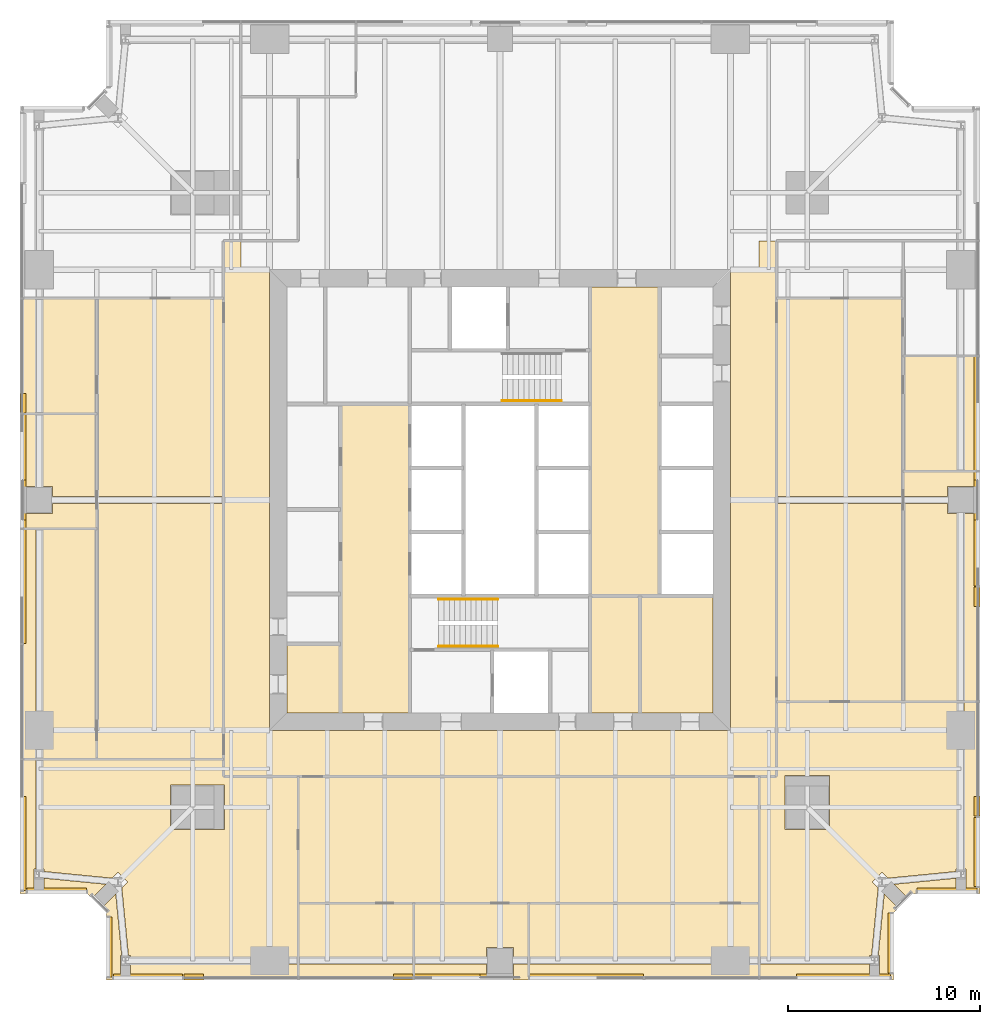
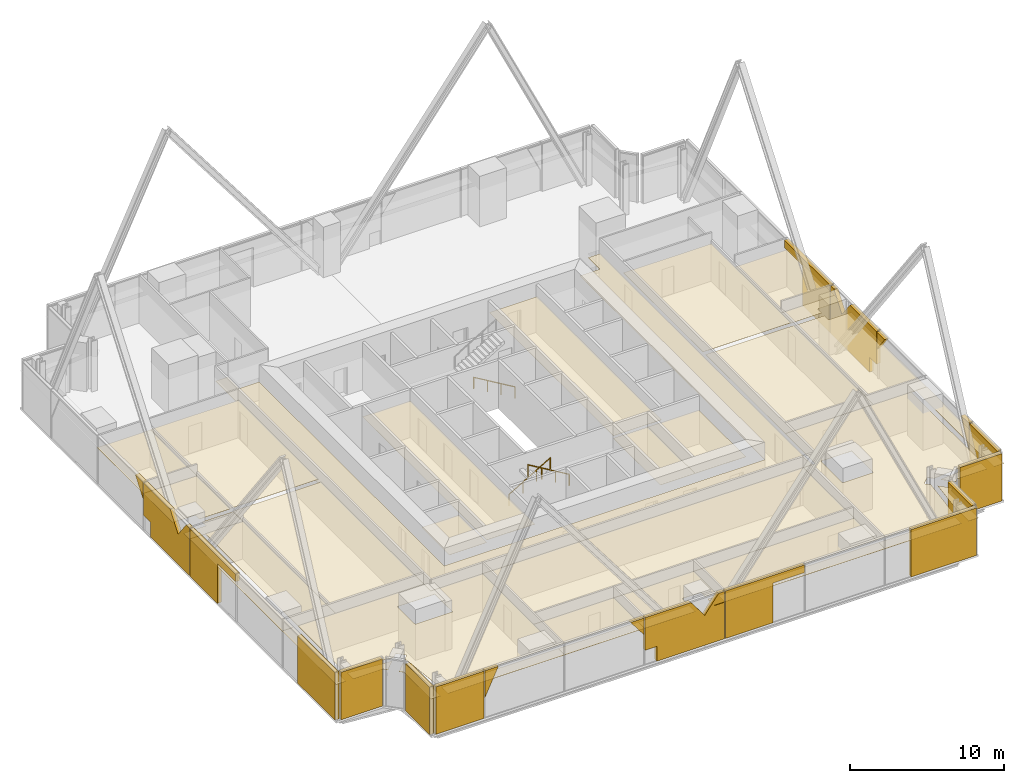
# One storey, part 12 of 13: 55 coverings, 3 railings.
"""IFC4 building model written with IfcOpenShell, lengths in metres."""

from ifc_helpers import new_model, si_unit, direction, frame, origin, origin_2d, place, context, subcontext, project, spatial, polyline, circle, outline, extrude, material, layer, layer_set, type_object, element, save


model = new_model("IFC4")

# Units and contexts
model_context = context("Model", 3, precision=1e-05, world=origin(), true_north=direction((0.0, 1.0)))
body_context = subcontext(model_context, "Body", "Model", "MODEL_VIEW")
ifc_project = project(units=[si_unit("LENGTHUNIT", "METRE"), si_unit("AREAUNIT", "SQUARE_METRE"), si_unit("VOLUMEUNIT", "CUBIC_METRE"), si_unit("PLANEANGLEUNIT", "RADIAN"), si_unit("MASSUNIT", "GRAM", prefix="KILO")], contexts=[model_context])

# Site, building, storey
site_placement = place(None, origin())
site = spatial("IfcSite", under=ifc_project, at=site_placement, CompositionType="ELEMENT")
building_placement = place(site_placement, origin())
building = spatial("IfcBuilding", under=site, at=building_placement, Name="Fenwick Lantern Interchange", CompositionType="ELEMENT")
storey_placement = place(building_placement, frame((0.0, 0.0, 146.39990234375)))
storey = spatial("IfcBuildingStorey", under=building, at=storey_placement, Name="L34", CompositionType="ELEMENT", Elevation=146.39990234375)

# Coverings
ifc_material_1 = material(Name="Mineral fibre acoustic tile on suspended grid")
ifc_layer_1 = layer(ifc_material_1, 0.02001953125)
ifc_layer_set_1 = layer_set([ifc_layer_1], Name="ACOUSTIC TILE CEILING 20")
covering_type_1 = type_object("IfcCoveringType", Name="ACOUSTIC TILE CEILING 20", PredefinedType="CEILING", material=ifc_layer_set_1)
covering_1_placement = place(storey_placement, frame((0.0, 0.0, 2.900146484375)))
element("IfcCovering", 1, at=covering_1_placement, inside=storey, type_object=covering_type_1, Name="Office suite ceiling", PredefinedType="CEILING", context=body_context, shape_type="SweptSolid", body=[
    extrude(outline(polyline([(14.5, 10.60009765625), (14.5, 4.0), (38.5, 4.0), (38.5, 10.60009765625), (14.5, 10.60009765625)])), origin(), (0.0, 0.0, 1.0), 0.02001953125),
])
covering_2_placement = place(storey_placement, frame((0.0, 0.0, 2.900146484375)))
element("IfcCovering", 2, at=covering_2_placement, inside=storey, type_object=covering_type_1, Name="Office study ceiling", PredefinedType="CEILING", context=body_context, shape_type="SweptSolid", body=[
    extrude(outline(polyline([(10.60009765625, 10.60009765625), (10.60009765625, 11.5), (1.17236328125, 11.5), (1.17236328125, 5.78759765625), (1.26220703125, 5.78759765625), (1.26220703125, 5.647705078125), (4.78369140625, 5.303955078125), (5.10009765625, 5.620361328125), (5.620361328125, 5.10009765625), (5.303955078125, 4.78369140625), (5.645263671875, 1.28759765625), (5.76220703125, 1.28759765625), (5.76220703125, 1.17236328125), (13.0, 1.17236328125), (14.5, 1.17236328125), (14.5, 10.60009765625), (10.60009765625, 10.60009765625)]), holes=[polyline([(7.85009765625, 10.14990234375), (10.64990234375, 10.14990234375), (10.64990234375, 7.85009765625), (7.85009765625, 7.85009765625), (7.85009765625, 10.14990234375)])]), origin(), (0.0, 0.0, 1.0), 0.02001953125),
])
covering_3_placement = place(storey_placement, frame((0.0, 0.0, 2.900146484375)))
element("IfcCovering", 3, at=covering_3_placement, inside=storey, type_object=covering_type_1, Name="Office study ceiling", PredefinedType="CEILING", context=body_context, shape_type="SweptSolid", body=[
    extrude(outline(polyline([(14.5, 0.0), (14.5, 0.82763671875), (13.0, 0.82763671875), (5.76220703125, 0.82763671875), (5.76220703125, 0.0), (14.5, 0.0)])), origin(), (0.0, 0.0, 1.0), 0.02001953125),
])
covering_4_placement = place(storey_placement, frame((0.0, 0.0, 2.900146484375)))
element("IfcCovering", 4, at=covering_4_placement, inside=storey, type_object=covering_type_1, Name="Office study ceiling", PredefinedType="CEILING", context=body_context, shape_type="SweptSolid", body=[
    extrude(outline(polyline([(0.73779296875, 5.78759765625), (0.82763671875, 5.78759765625), (0.82763671875, 11.5), (0.0, 11.5), (0.0, 4.5), (0.73779296875, 4.5), (0.73779296875, 5.78759765625)])), origin(), (0.0, 0.0, 1.0), 0.02001953125),
])
covering_5_placement = place(storey_placement, frame((0.0, 0.0, 2.900146484375)))
element("IfcCovering", 5, at=covering_5_placement, inside=storey, type_object=covering_type_1, Name="Office study ceiling", PredefinedType="CEILING", context=body_context, shape_type="SweptSolid", body=[
    extrude(outline(polyline([(5.23779296875, 1.28759765625), (5.298828125, 1.28759765625), (4.988525390625, 4.468017578125), (4.26025390625, 3.73974609375), (4.5, 3.5), (4.5, 0.0), (5.23779296875, 0.0), (5.23779296875, 1.28759765625)])), origin(), (0.0, 0.0, 1.0), 0.02001953125),
])
covering_6_placement = place(storey_placement, frame((0.0, 0.0, 2.900146484375)))
element("IfcCovering", 6, at=covering_6_placement, inside=storey, type_object=covering_type_1, Name="Office study ceiling", PredefinedType="CEILING", context=body_context, shape_type="SweptSolid", body=[
    extrude(outline(polyline([(3.73974609375, 4.26025390625), (4.468017578125, 4.988525390625), (1.26220703125, 5.30126953125), (1.26220703125, 4.5), (3.5, 4.5), (3.73974609375, 4.26025390625)])), origin(), (0.0, 0.0, 1.0), 0.02001953125),
])
covering_7_placement = place(storey_placement, frame((0.0, 0.0, 2.900146484375)))
element("IfcCovering", 7, at=covering_7_placement, inside=storey, type_object=covering_type_1, Name="Office ceiling", PredefinedType="CEILING", context=body_context, shape_type="SweptSolid", body=[
    extrude(outline(polyline([(14.5, 4.0), (14.5, 1.17236328125), (20.5, 1.17236328125), (20.5, 4.0), (14.5, 4.0)])), origin(), (0.0, 0.0, 1.0), 0.02001953125),
])
covering_8_placement = place(storey_placement, frame((0.0, 0.0, 2.900146484375)))
element("IfcCovering", 8, at=covering_8_placement, inside=storey, type_object=covering_type_1, Name="Office ceiling", PredefinedType="CEILING", context=body_context, shape_type="SweptSolid", body=[
    extrude(outline(polyline([(20.5, 0.0), (20.5, 0.82763671875), (14.5, 0.82763671875), (14.5, 0.0), (20.5, 0.0)])), origin(), (0.0, 0.0, 1.0), 0.02001953125),
])
covering_9_placement = place(storey_placement, frame((0.0, 0.0, 2.900146484375)))
element("IfcCovering", 9, at=covering_9_placement, inside=storey, type_object=covering_type_1, Name="Office ceiling", PredefinedType="CEILING", context=body_context, shape_type="SweptSolid", body=[
    extrude(outline(polyline([(20.5, 4.0), (20.5, 1.17236328125), (24.300048828125, 1.17236328125), (24.300048828125, 1.699951171875), (25.699951171875, 1.699951171875), (25.699951171875, 1.17236328125), (26.5, 1.17236328125), (26.5, 4.0), (20.5, 4.0)])), origin(), (0.0, 0.0, 1.0), 0.02001953125),
])
covering_10_placement = place(storey_placement, frame((0.0, 0.0, 2.900146484375)))
element("IfcCovering", 10, at=covering_10_placement, inside=storey, type_object=covering_type_1, Name="Office ceiling", PredefinedType="CEILING", context=body_context, shape_type="SweptSolid", body=[
    extrude(outline(polyline([(20.5, 0.82763671875), (20.5, 0.0), (24.300048828125, 0.0), (24.300048828125, 0.82763671875), (20.5, 0.82763671875)])), origin(), (0.0, 0.0, 1.0), 0.02001953125),
])
covering_11_placement = place(storey_placement, frame((0.0, 0.0, 2.900146484375)))
element("IfcCovering", 11, at=covering_11_placement, inside=storey, type_object=covering_type_1, Name="Office ceiling", PredefinedType="CEILING", context=body_context, shape_type="SweptSolid", body=[
    extrude(outline(polyline([(26.5, 0.0), (26.5, 0.82763671875), (25.699951171875, 0.82763671875), (25.699951171875, 0.0), (26.5, 0.0)])), origin(), (0.0, 0.0, 1.0), 0.02001953125),
])
covering_12_placement = place(storey_placement, frame((0.0, 0.0, 2.900146484375)))
element("IfcCovering", 12, at=covering_12_placement, inside=storey, type_object=covering_type_1, Name="Meeting room ceiling", PredefinedType="CEILING", context=body_context, shape_type="SweptSolid", body=[
    extrude(outline(polyline([(26.5, 4.0), (26.5, 1.17236328125), (37.0, 1.17236328125), (38.5, 1.17236328125), (38.5, 4.0), (26.5, 4.0)])), origin(), (0.0, 0.0, 1.0), 0.02001953125),
])
covering_13_placement = place(storey_placement, frame((0.0, 0.0, 2.900146484375)))
element("IfcCovering", 13, at=covering_13_placement, inside=storey, type_object=covering_type_1, Name="Meeting room ceiling", PredefinedType="CEILING", context=body_context, shape_type="SweptSolid", body=[
    extrude(outline(polyline([(26.5, 0.82763671875), (26.5, 0.0), (38.5, 0.0), (38.5, 0.82763671875), (37.0, 0.82763671875), (26.5, 0.82763671875)])), origin(), (0.0, 0.0, 1.0), 0.02001953125),
])
covering_14_placement = place(storey_placement, frame((0.0, 0.0, 2.900146484375)))
element("IfcCovering", 14, at=covering_14_placement, inside=storey, type_object=covering_type_1, Name="Office suite ceiling", PredefinedType="CEILING", context=body_context, shape_type="SweptSolid", body=[
    extrude(outline(polyline([(39.39990234375, 24.824951171875), (39.39990234375, 14.5), (46.0, 14.5), (46.0, 24.824951171875), (39.39990234375, 24.824951171875)])), origin(), (0.0, 0.0, 1.0), 0.02001953125),
])
covering_15_placement = place(storey_placement, frame((0.0, 0.0, 2.900146484375)))
element("IfcCovering", 15, at=covering_15_placement, inside=storey, type_object=covering_type_1, Name="Office suite ceiling", PredefinedType="CEILING", context=body_context, shape_type="SweptSolid", body=[
    extrude(outline(polyline([(39.39990234375, 35.5), (39.39990234375, 25.175048828125), (46.0, 25.175048828125), (46.0, 35.5), (39.39990234375, 35.5)])), origin(), (0.0, 0.0, 1.0), 0.02001953125),
])
covering_16_placement = place(storey_placement, frame((0.0, 0.0, 2.900146484375)))
element("IfcCovering", 16, at=covering_16_placement, inside=storey, type_object=covering_type_1, Name="Office study ceiling", PredefinedType="CEILING", context=body_context, shape_type="SweptSolid", body=[
    extrude(outline(polyline([(44.23779296875, 1.28759765625), (44.354736328125, 1.28759765625), (44.696044921875, 4.78369140625), (44.379638671875, 5.10009765625), (44.89990234375, 5.620361328125), (45.21630859375, 5.303955078125), (48.73779296875, 5.647705078125), (48.73779296875, 5.78759765625), (48.82763671875, 5.78759765625), (48.82763671875, 13.0), (48.82763671875, 14.5), (39.39990234375, 14.5), (39.39990234375, 10.60009765625), (38.5, 10.60009765625), (38.5, 1.17236328125), (44.23779296875, 1.17236328125), (44.23779296875, 1.28759765625)]), holes=[polyline([(39.85009765625, 7.85009765625), (39.85009765625, 10.64990234375), (42.14990234375, 10.64990234375), (42.14990234375, 7.85009765625), (39.85009765625, 7.85009765625)])]), origin(), (0.0, 0.0, 1.0), 0.02001953125),
])
covering_17_placement = place(storey_placement, frame((0.0, 0.0, 2.900146484375)))
element("IfcCovering", 17, at=covering_17_placement, inside=storey, type_object=covering_type_1, Name="Office study ceiling", PredefinedType="CEILING", context=body_context, shape_type="SweptSolid", body=[
    extrude(outline(polyline([(50.0, 14.5), (49.17236328125, 14.5), (49.17236328125, 13.0), (49.17236328125, 5.78759765625), (49.26220703125, 5.78759765625), (49.26220703125, 4.5), (50.0, 4.5), (50.0, 14.5)])), origin(), (0.0, 0.0, 1.0), 0.02001953125),
])
covering_18_placement = place(storey_placement, frame((0.0, 0.0, 2.900146484375)))
element("IfcCovering", 18, at=covering_18_placement, inside=storey, type_object=covering_type_1, Name="Office study ceiling", PredefinedType="CEILING", context=body_context, shape_type="SweptSolid", body=[
    extrude(outline(polyline([(44.23779296875, 0.0), (44.23779296875, 0.82763671875), (38.5, 0.82763671875), (38.5, 0.0), (44.23779296875, 0.0)])), origin(), (0.0, 0.0, 1.0), 0.02001953125),
])
covering_19_placement = place(storey_placement, frame((0.0, 0.0, 2.900146484375)))
element("IfcCovering", 19, at=covering_19_placement, inside=storey, type_object=covering_type_1, Name="Office study ceiling", PredefinedType="CEILING", context=body_context, shape_type="SweptSolid", body=[
    extrude(outline(polyline([(44.701171875, 1.28759765625), (44.76220703125, 1.28759765625), (44.76220703125, 0.0), (45.5, 0.0), (45.5, 3.5), (45.73974609375, 3.73974609375), (45.011474609375, 4.468017578125), (44.701171875, 1.28759765625)])), origin(), (0.0, 0.0, 1.0), 0.02001953125),
])
covering_20_placement = place(storey_placement, frame((0.0, 0.0, 2.900146484375)))
element("IfcCovering", 20, at=covering_20_placement, inside=storey, type_object=covering_type_1, Name="Office study ceiling", PredefinedType="CEILING", context=body_context, shape_type="SweptSolid", body=[
    extrude(outline(polyline([(48.73779296875, 4.5), (48.73779296875, 5.30126953125), (45.531982421875, 4.988525390625), (46.26025390625, 4.26025390625), (46.5, 4.5), (48.73779296875, 4.5)])), origin(), (0.0, 0.0, 1.0), 0.02001953125),
])
covering_21_placement = place(storey_placement, frame((0.0, 0.0, 2.8681640625)))
element("IfcCovering", 21, at=covering_21_placement, inside=storey, type_object=covering_type_1, Name="Meeting room ceiling", PredefinedType="CEILING", context=body_context, shape_type="SweptSolid", body=[
    extrude(outline(polyline([(46.0, 24.824951171875), (46.0, 14.5), (50.0, 14.5), (50.0, 24.300048828125), (48.300048828125, 24.300048828125), (48.300048828125, 24.824951171875), (46.0, 24.824951171875)])), origin(), (0.0, 0.0, 1.0), 0.02001953125),
])
covering_22_placement = place(storey_placement, frame((0.0, 0.0, 2.8681640625)))
element("IfcCovering", 22, at=covering_22_placement, inside=storey, type_object=covering_type_1, Name="Meeting room ceiling", PredefinedType="CEILING", context=body_context, shape_type="SweptSolid", body=[
    extrude(outline(polyline([(46.0, 26.5), (46.0, 25.175048828125), (48.300048828125, 25.175048828125), (48.300048828125, 25.699951171875), (50.0, 25.699951171875), (50.0, 26.5), (46.0, 26.5)])), origin(), (0.0, 0.0, 1.0), 0.02001953125),
])
covering_23_placement = place(storey_placement, frame((0.0, 0.0, 2.8681640625)))
element("IfcCovering", 23, at=covering_23_placement, inside=storey, type_object=covering_type_1, Name="Office ceiling", PredefinedType="CEILING", context=body_context, shape_type="SweptSolid", body=[
    extrude(outline(polyline([(50.0, 26.5), (50.0, 32.5), (46.0, 32.5), (46.0, 26.5), (50.0, 26.5)])), origin(), (0.0, 0.0, 1.0), 0.02001953125),
])
covering_24_placement = place(storey_placement, frame((0.0, 0.0, 2.900146484375)))
element("IfcCovering", 24, at=covering_24_placement, inside=storey, type_object=covering_type_1, Name="Office suite ceiling", PredefinedType="CEILING", context=body_context, shape_type="SweptSolid", body=[
    extrude(outline(polyline([(10.60009765625, 11.5), (10.60009765625, 24.824951171875), (4.0, 24.824951171875), (4.0, 11.5), (10.60009765625, 11.5)])), origin(), (0.0, 0.0, 1.0), 0.02001953125),
])
covering_25_placement = place(storey_placement, frame((0.0, 0.0, 2.900146484375)))
element("IfcCovering", 25, at=covering_25_placement, inside=storey, type_object=covering_type_1, Name="Office suite ceiling", PredefinedType="CEILING", context=body_context, shape_type="SweptSolid", body=[
    extrude(outline(polyline([(10.60009765625, 25.175048828125), (10.60009765625, 35.5), (4.0, 35.5), (4.0, 25.175048828125), (10.60009765625, 25.175048828125)])), origin(), (0.0, 0.0, 1.0), 0.02001953125),
])
covering_26_placement = place(storey_placement, frame((0.0, 0.0, 2.8681640625)))
element("IfcCovering", 26, at=covering_26_placement, inside=storey, type_object=covering_type_1, Name="Office ceiling", PredefinedType="CEILING", context=body_context, shape_type="SweptSolid", body=[
    extrude(outline(polyline([(0.0, 35.5), (0.0, 29.5), (4.0, 29.5), (4.0, 35.5), (0.0, 35.5)])), origin(), (0.0, 0.0, 1.0), 0.02001953125),
])
covering_27_placement = place(storey_placement, frame((0.0, 0.0, 2.8681640625)))
element("IfcCovering", 27, at=covering_27_placement, inside=storey, type_object=covering_type_1, Name="Office ceiling", PredefinedType="CEILING", context=body_context, shape_type="SweptSolid", body=[
    extrude(outline(polyline([(4.0, 29.5), (0.0, 29.5), (0.0, 25.699951171875), (1.699951171875, 25.699951171875), (1.699951171875, 25.175048828125), (4.0, 25.175048828125), (4.0, 29.5)])), origin(), (0.0, 0.0, 1.0), 0.02001953125),
])
covering_28_placement = place(storey_placement, frame((0.0, 0.0, 2.8681640625)))
element("IfcCovering", 28, at=covering_28_placement, inside=storey, type_object=covering_type_1, Name="Office ceiling", PredefinedType="CEILING", context=body_context, shape_type="SweptSolid", body=[
    extrude(outline(polyline([(4.0, 23.5), (4.0, 24.824951171875), (1.699951171875, 24.824951171875), (1.699951171875, 24.300048828125), (0.0, 24.300048828125), (0.0, 23.5), (4.0, 23.5)])), origin(), (0.0, 0.0, 1.0), 0.02001953125),
])
covering_29_placement = place(storey_placement, frame((0.0, 0.0, 2.900146484375)))
element("IfcCovering", 29, at=covering_29_placement, inside=storey, type_object=covering_type_1, Name="Meeting room ceiling", PredefinedType="CEILING", context=body_context, shape_type="SweptSolid", body=[
    extrude(outline(polyline([(4.0, 23.5), (1.17236328125, 23.5), (1.17236328125, 13.0), (1.17236328125, 11.5), (4.0, 11.5), (4.0, 23.5)])), origin(), (0.0, 0.0, 1.0), 0.02001953125),
])
covering_30_placement = place(storey_placement, frame((0.0, 0.0, 2.900146484375)))
element("IfcCovering", 30, at=covering_30_placement, inside=storey, type_object=covering_type_1, Name="Meeting room ceiling", PredefinedType="CEILING", context=body_context, shape_type="SweptSolid", body=[
    extrude(outline(polyline([(0.82763671875, 23.5), (0.0, 23.5), (0.0, 11.5), (0.82763671875, 11.5), (0.82763671875, 13.0), (0.82763671875, 23.5)])), origin(), (0.0, 0.0, 1.0), 0.02001953125),
])
ifc_material_2 = material(Name="Granite cladding, warm grey flamed finish, on aluminium carrier frame", Category="masonry")
ifc_layer_2 = layer(ifc_material_2, 0.300048828125)
ifc_layer_set_2 = layer_set([ifc_layer_2], Name="BRACE CASING PANEL 300")
covering_type_2 = type_object("IfcCoveringType", Name="BRACE CASING PANEL 300", PredefinedType="CLADDING", material=ifc_layer_set_2)
covering_31_placement = place(storey_placement, frame((4.60009765625, 0.10009765625, 0.0), z_axis=(0.0, 0.0, 1.0), x_axis=(1.0, 0.0, 0.0)))
element("IfcCovering", 31, at=covering_31_placement, inside=storey, type_object=covering_type_2, Name="Brace casing 01 bay 00a", PredefinedType="CLADDING", context=body_context, shape_type="SweptSolid", body=[
    extrude(outline(polyline([(0.264892578125, 0.0), (3.867431640625, 0.0), (3.867431640625, 3.75), (0.264892578125, 3.75), (0.264892578125, 0.0)])), frame((0.0, 0.2001953125, 0.0), z_axis=(0.0, -1.0, 0.0), x_axis=(1.0, 0.0, 0.0)), (0.0, 0.0, 1.0), 0.300048828125),
])
covering_32_placement = place(storey_placement, frame((4.60009765625, 0.10009765625, 1.60107421875), z_axis=(0.0, 0.0, 1.0), x_axis=(1.0, 0.0, 0.0)))
element("IfcCovering", 32, at=covering_32_placement, inside=storey, type_object=covering_type_2, Name="Brace casing 01 bay 01a", PredefinedType="CLADDING", context=body_context, shape_type="SweptSolid", body=[
    extrude(outline(polyline([(3.9326171875, 0.0), (4.947265625, 2.14892578125), (3.9326171875, 2.14892578125), (3.9326171875, 0.0)])), frame((0.0, 0.2001953125, 0.0), z_axis=(0.0, -1.0, 0.0), x_axis=(1.0, 0.0, 0.0)), (0.0, 0.0, 1.0), 0.300048828125),
])
covering_33_placement = place(storey_placement, frame((4.60009765625, 0.10009765625, 2.40771484375), z_axis=(0.0, 0.0, 1.0), x_axis=(1.0, 0.0, 0.0)))
element("IfcCovering", 33, at=covering_33_placement, inside=storey, type_object=covering_type_2, Name="Brace casing 01 bay 02a", PredefinedType="CLADDING", context=body_context, shape_type="SweptSolid", body=[
    extrude(outline(polyline([(15.867431640625, 0.0), (15.867431640625, 1.34228515625), (14.853515625, 1.34228515625), (15.867431640625, 0.0)])), frame((0.0, 0.2001953125, 0.0), z_axis=(0.0, -1.0, 0.0), x_axis=(1.0, 0.0, 0.0)), (0.0, 0.0, 1.0), 0.300048828125),
])
covering_34_placement = place(storey_placement, frame((4.60009765625, 0.10009765625, 0.0), z_axis=(0.0, 0.0, 1.0), x_axis=(1.0, 0.0, 0.0)))
element("IfcCovering", 34, at=covering_34_placement, inside=storey, type_object=covering_type_2, Name="Brace casing 01 bay 03a", PredefinedType="CLADDING", context=body_context, shape_type="SweptSolid", body=[
    extrude(outline(polyline([(16.8076171875, 0.0), (21.867431640625, 0.0), (21.867431640625, 3.75), (21.434814453125, 3.75), (20.39990234375, 2.38037109375), (19.365234375, 3.75), (15.9326171875, 3.75), (15.9326171875, 1.16357421875), (16.8076171875, 1.16357421875), (16.8076171875, 0.0)])), frame((0.0, 0.2001953125, 0.0), z_axis=(0.0, -1.0, 0.0), x_axis=(1.0, 0.0, 0.0)), (0.0, 0.0, 1.0), 0.300048828125),
])
covering_35_placement = place(storey_placement, frame((4.60009765625, 0.10009765625, 0.0), z_axis=(0.0, 0.0, 1.0), x_axis=(1.0, 0.0, 0.0)))
element("IfcCovering", 35, at=covering_35_placement, inside=storey, type_object=covering_type_2, Name="Brace casing 01 bay 04a", PredefinedType="CLADDING", context=body_context, shape_type="SweptSolid", body=[
    extrude(outline(polyline([(21.9326171875, 0.0), (25.48876953125, 0.0), (25.48876953125, 3.14404296875), (27.867431640625, 3.14404296875), (27.867431640625, 3.75), (21.9326171875, 3.75), (21.9326171875, 0.0)])), frame((0.0, 0.2001953125, 0.0), z_axis=(0.0, -1.0, 0.0), x_axis=(1.0, 0.0, 0.0)), (0.0, 0.0, 1.0), 0.300048828125),
])
covering_36_placement = place(storey_placement, frame((4.60009765625, 0.10009765625, 0.0), z_axis=(0.0, 0.0, 1.0), x_axis=(1.0, 0.0, 0.0)))
element("IfcCovering", 36, at=covering_36_placement, inside=storey, type_object=covering_type_2, Name="Brace casing 01 bay 06a", PredefinedType="CLADDING", context=body_context, shape_type="SweptSolid", body=[
    extrude(outline(polyline([(35.8525390625, 0.0), (40.735107421875, 0.0), (40.735107421875, 3.75), (35.8525390625, 3.75), (35.8525390625, 0.0)])), frame((0.0, 0.2001953125, 0.0), z_axis=(0.0, -1.0, 0.0), x_axis=(1.0, 0.0, 0.0)), (0.0, 0.0, 1.0), 0.300048828125),
])
for number, where, z_axis, x_axis, name in (
    (37, (45.39990234375, 0.10009765625, 0.0), (0.0, 0.0, 1.0), (0.0, 1.0, 0.0), "Brace casing 02 bay 00a"),
    (38, (46.45849609375, 4.60009765625, 0.0), (0.0, 0.0, 1.0), (1.0, 0.0, 0.0), "Brace casing 04 bay 00a"),
):
    element("IfcCovering", number, at=place(storey_placement, frame(where, z_axis=z_axis, x_axis=x_axis)), inside=storey, type_object=covering_type_2, Name=name, PredefinedType="CLADDING", context=body_context, shape_type="SweptSolid", body=[
        extrude(outline(polyline([(0.264892578125, 0.0), (3.37646484375, 0.0), (3.37646484375, 3.75), (0.264892578125, 3.75), (0.264892578125, 0.0)])), frame((0.0, 0.2001953125, 0.0), z_axis=(0.0, -1.0, 0.0), x_axis=(1.0, 0.0, 0.0)), (0.0, 0.0, 1.0), 0.300048828125),
    ])
covering_37_placement = place(storey_placement, frame((49.89990234375, 4.60009765625, 0.0), z_axis=(0.0, 0.0, 1.0), x_axis=(0.0, 1.0, 0.0)))
element("IfcCovering", 39, at=covering_37_placement, inside=storey, type_object=covering_type_2, Name="Brace casing 05 bay 00a", PredefinedType="CLADDING", context=body_context, shape_type="SweptSolid", body=[
    extrude(outline(polyline([(0.264892578125, 0.0), (3.867431640625, 0.0), (3.867431640625, 3.75), (0.264892578125, 3.75), (0.264892578125, 0.0)])), frame((0.0, 0.2001953125, 0.0), z_axis=(0.0, -1.0, 0.0), x_axis=(1.0, 0.0, 0.0)), (0.0, 0.0, 1.0), 0.300048828125),
])
covering_38_placement = place(storey_placement, frame((49.89990234375, 4.60009765625, 1.60107421875), z_axis=(0.0, 0.0, 1.0), x_axis=(0.0, 1.0, 0.0)))
element("IfcCovering", 40, at=covering_38_placement, inside=storey, type_object=covering_type_2, Name="Brace casing 05 bay 01a", PredefinedType="CLADDING", context=body_context, shape_type="SweptSolid", body=[
    extrude(outline(polyline([(3.9326171875, 0.0), (4.947265625, 2.14892578125), (3.9326171875, 2.14892578125), (3.9326171875, 0.0)])), frame((0.0, 0.2001953125, 0.0), z_axis=(0.0, -1.0, 0.0), x_axis=(1.0, 0.0, 0.0)), (0.0, 0.0, 1.0), 0.300048828125),
])
covering_39_placement = place(storey_placement, frame((49.89990234375, 4.60009765625, 2.40771484375), z_axis=(0.0, 0.0, 1.0), x_axis=(0.0, 1.0, 0.0)))
element("IfcCovering", 41, at=covering_39_placement, inside=storey, type_object=covering_type_2, Name="Brace casing 05 bay 02a", PredefinedType="CLADDING", context=body_context, shape_type="SweptSolid", body=[
    extrude(outline(polyline([(15.867431640625, 0.0), (15.867431640625, 1.34228515625), (14.853515625, 1.34228515625), (15.867431640625, 0.0)])), frame((0.0, 0.2001953125, 0.0), z_axis=(0.0, -1.0, 0.0), x_axis=(1.0, 0.0, 0.0)), (0.0, 0.0, 1.0), 0.300048828125),
])
covering_40_placement = place(storey_placement, frame((49.89990234375, 4.60009765625, 0.0), z_axis=(0.0, 0.0, 1.0), x_axis=(0.0, 1.0, 0.0)))
element("IfcCovering", 42, at=covering_40_placement, inside=storey, type_object=covering_type_2, Name="Brace casing 05 bay 03a", PredefinedType="CLADDING", context=body_context, shape_type="SweptSolid", body=[
    extrude(outline(polyline([(16.8076171875, 0.0), (21.867431640625, 0.0), (21.867431640625, 3.75), (21.434814453125, 3.75), (20.39990234375, 2.38037109375), (19.365234375, 3.75), (15.9326171875, 3.75), (15.9326171875, 1.16357421875), (16.8076171875, 1.16357421875), (16.8076171875, 0.0)])), frame((0.0, 0.2001953125, 0.0), z_axis=(0.0, -1.0, 0.0), x_axis=(1.0, 0.0, 0.0)), (0.0, 0.0, 1.0), 0.300048828125),
])
covering_41_placement = place(storey_placement, frame((49.89990234375, 4.60009765625, 0.0), z_axis=(0.0, 0.0, 1.0), x_axis=(0.0, 1.0, 0.0)))
element("IfcCovering", 43, at=covering_41_placement, inside=storey, type_object=covering_type_2, Name="Brace casing 05 bay 04a", PredefinedType="CLADDING", context=body_context, shape_type="SweptSolid", body=[
    extrude(outline(polyline([(21.9326171875, 0.0), (25.48876953125, 0.0), (25.48876953125, 3.14404296875), (27.867431640625, 3.14404296875), (27.867431640625, 3.75), (21.9326171875, 3.75), (21.9326171875, 0.0)])), frame((0.0, 0.2001953125, 0.0), z_axis=(0.0, -1.0, 0.0), x_axis=(1.0, 0.0, 0.0)), (0.0, 0.0, 1.0), 0.300048828125),
])
covering_42_placement = place(storey_placement, frame((0.10009765625, 45.39990234375, 2.40771484375), z_axis=(0.0, 0.0, 1.0), x_axis=(0.0, -1.0, 0.0)))
element("IfcCovering", 44, at=covering_42_placement, inside=storey, type_object=covering_type_2, Name="Brace casing 13 bay 02a", PredefinedType="CLADDING", context=body_context, shape_type="SweptSolid", body=[
    extrude(outline(polyline([(15.867431640625, 0.0), (15.867431640625, 1.34228515625), (14.853515625, 1.34228515625), (15.867431640625, 0.0)])), frame((0.0, 0.2001953125, 0.0), z_axis=(0.0, -1.0, 0.0), x_axis=(1.0, 0.0, 0.0)), (0.0, 0.0, 1.0), 0.300048828125),
])
covering_43_placement = place(storey_placement, frame((0.10009765625, 45.39990234375, 0.0), z_axis=(0.0, 0.0, 1.0), x_axis=(0.0, -1.0, 0.0)))
element("IfcCovering", 45, at=covering_43_placement, inside=storey, type_object=covering_type_2, Name="Brace casing 13 bay 03a", PredefinedType="CLADDING", context=body_context, shape_type="SweptSolid", body=[
    extrude(outline(polyline([(16.8076171875, 0.0), (21.867431640625, 0.0), (21.867431640625, 3.75), (21.434814453125, 3.75), (20.39990234375, 2.38037109375), (19.365234375, 3.75), (15.9326171875, 3.75), (15.9326171875, 1.16357421875), (16.8076171875, 1.16357421875), (16.8076171875, 0.0)])), frame((0.0, 0.2001953125, 0.0), z_axis=(0.0, -1.0, 0.0), x_axis=(1.0, 0.0, 0.0)), (0.0, 0.0, 1.0), 0.300048828125),
])
covering_44_placement = place(storey_placement, frame((0.10009765625, 45.39990234375, 0.0), z_axis=(0.0, 0.0, 1.0), x_axis=(0.0, -1.0, 0.0)))
element("IfcCovering", 46, at=covering_44_placement, inside=storey, type_object=covering_type_2, Name="Brace casing 13 bay 04a", PredefinedType="CLADDING", context=body_context, shape_type="SweptSolid", body=[
    extrude(outline(polyline([(21.9326171875, 0.0), (25.48876953125, 0.0), (25.48876953125, 3.14404296875), (27.867431640625, 3.14404296875), (27.867431640625, 3.75), (21.9326171875, 3.75), (21.9326171875, 0.0)])), frame((0.0, 0.2001953125, 0.0), z_axis=(0.0, -1.0, 0.0), x_axis=(1.0, 0.0, 0.0)), (0.0, 0.0, 1.0), 0.300048828125),
])
covering_45_placement = place(storey_placement, frame((0.10009765625, 45.39990234375, 0.0), z_axis=(0.0, 0.0, 1.0), x_axis=(0.0, -1.0, 0.0)))
element("IfcCovering", 47, at=covering_45_placement, inside=storey, type_object=covering_type_2, Name="Brace casing 13 bay 06a", PredefinedType="CLADDING", context=body_context, shape_type="SweptSolid", body=[
    extrude(outline(polyline([(35.8525390625, 0.0), (40.735107421875, 0.0), (40.735107421875, 3.75), (35.8525390625, 3.75), (35.8525390625, 0.0)])), frame((0.0, 0.2001953125, 0.0), z_axis=(0.0, -1.0, 0.0), x_axis=(1.0, 0.0, 0.0)), (0.0, 0.0, 1.0), 0.300048828125),
])
for number, where, z_axis, x_axis, name in (
    (48, (0.10009765625, 4.60009765625, 0.0), (0.0, 0.0, 1.0), (1.0, 0.0, 0.0), "Brace casing 14 bay 00a"),
    (49, (4.60009765625, 3.54150390625, 0.0), (0.0, 0.0, 1.0), (0.0, -1.0, 0.0), "Brace casing 16 bay 00a"),
):
    element("IfcCovering", number, at=place(storey_placement, frame(where, z_axis=z_axis, x_axis=x_axis)), inside=storey, type_object=covering_type_2, Name=name, PredefinedType="CLADDING", context=body_context, shape_type="SweptSolid", body=[
        extrude(outline(polyline([(0.264892578125, 0.0), (3.37646484375, 0.0), (3.37646484375, 3.75), (0.264892578125, 3.75), (0.264892578125, 0.0)])), frame((0.0, 0.2001953125, 0.0), z_axis=(0.0, -1.0, 0.0), x_axis=(1.0, 0.0, 0.0)), (0.0, 0.0, 1.0), 0.300048828125),
    ])

# Railings
ifc_material_3 = material(Name="Stainless steel handrail", Category="steel")
railing_type = type_object("IfcRailingType", Name="HANDRAIL 900", PredefinedType="HANDRAIL", material=ifc_material_3)
railing_placement = place(storey_placement, frame((21.800048828125, 19.825927734375, 0.166748046875)))
element("IfcRailing", 50, at=railing_placement, inside=storey, type_object=railing_type, Name="L34/STAIR/ST1/HR1", PredefinedType="HANDRAIL", context=body_context, shape_type="SweptSolid", body=[
    extrude(circle(Radius=0.02392578125, at=origin_2d()), frame((0.0, 0.0, 0.8759765625), z_axis=(0.859290745958, 0.0, 0.51148745235), x_axis=(0.0, 1.0, 0.0)), (0.0, 0.0, 1.0), 3.584228515625),
    extrude(circle(Radius=0.02099609375, at=origin_2d()), origin(), (0.0, 0.0, 1.0), 0.851806640625),
    extrude(circle(Radius=0.02099609375, at=origin_2d()), frame((1.026611328125, 0.0, 0.611083984375)), (0.0, 0.0, 1.0), 0.851806640625),
    extrude(circle(Radius=0.02099609375, at=origin_2d()), frame((2.05322265625, 0.0, 1.22216796875)), (0.0, 0.0, 1.0), 0.851806640625),
    extrude(circle(Radius=0.02099609375, at=origin_2d()), frame((3.079833984375, 0.0, 1.833251953125)), (0.0, 0.0, 1.0), 0.851806640625),
])
for number, where, name in (
    (51, (24.8798828125, 17.3740234375, 2.166748046875), "L34/STAIR/ST1/HR2"),
    (52, (28.199951171875, 30.174072265625, 0.166748046875), "L34/STAIR/ST2/HR1"),
):
    element("IfcRailing", number, at=place(storey_placement, frame(where)), inside=storey, type_object=railing_type, Name=name, PredefinedType="HANDRAIL", context=body_context, shape_type="SweptSolid", body=[
        extrude(circle(Radius=0.02392578125, at=origin_2d()), frame((0.0, 0.0, 0.8759765625), z_axis=(-0.859290745958, 0.0, 0.51148745235), x_axis=(0.0, -1.0, 0.0)), (0.0, 0.0, 1.0), 3.584228515625),
        extrude(circle(Radius=0.02099609375, at=origin_2d()), origin(), (0.0, 0.0, 1.0), 0.851806640625),
        extrude(circle(Radius=0.02099609375, at=origin_2d()), frame((-1.026611328125, 0.0, 0.611083984375)), (0.0, 0.0, 1.0), 0.851806640625),
        extrude(circle(Radius=0.02099609375, at=origin_2d()), frame((-2.05322265625, 0.0, 1.22216796875)), (0.0, 0.0, 1.0), 0.851806640625),
        extrude(circle(Radius=0.02099609375, at=origin_2d()), frame((-3.079833984375, 0.0, 1.833251953125)), (0.0, 0.0, 1.0), 0.851806640625),
    ])

# Coverings
ifc_material_4 = material(Name="Moisture resistant gypsum board on suspended frame, painted")
ifc_layer_3 = layer(ifc_material_4, 0.014892578125)
ifc_layer_set_3 = layer_set([ifc_layer_3], Name="MOISTURE RESISTANT CEILING 15")
covering_type_3 = type_object("IfcCoveringType", Name="MOISTURE RESISTANT CEILING 15", PredefinedType="CEILING", material=ifc_layer_set_3)
covering_46_placement = place(storey_placement, frame((0.0, 0.0, 2.60009765625)))
element("IfcCovering", 53, at=covering_46_placement, inside=storey, type_object=covering_type_3, Name="Men's WC ceiling", PredefinedType="CEILING", context=body_context, shape_type="SweptSolid", body=[
    extrude(outline(polyline([(29.699951171875, 13.89990234375), (32.300048828125, 13.89990234375), (32.300048828125, 20.0), (29.699951171875, 20.0), (29.699951171875, 13.89990234375)])), origin(), (0.0, 0.0, 1.0), 0.014892578125),
])
covering_47_placement = place(storey_placement, frame((0.0, 0.0, 2.60009765625)))
element("IfcCovering", 54, at=covering_47_placement, inside=storey, type_object=covering_type_3, Name="Women's WC ceiling", PredefinedType="CEILING", context=body_context, shape_type="SweptSolid", body=[
    extrude(outline(polyline([(32.300048828125, 13.89990234375), (36.10009765625, 13.89990234375), (36.10009765625, 20.0), (32.300048828125, 20.0), (32.300048828125, 13.89990234375)])), origin(), (0.0, 0.0, 1.0), 0.014892578125),
])
covering_48_placement = place(storey_placement, frame((0.0, 0.0, 2.60009765625)))
element("IfcCovering", 55, at=covering_48_placement, inside=storey, type_object=covering_type_3, Name="Accessible WC and shower ceiling", PredefinedType="CEILING", context=body_context, shape_type="SweptSolid", body=[
    extrude(outline(polyline([(13.89990234375, 13.89990234375), (16.699951171875, 13.89990234375), (16.699951171875, 17.5), (13.89990234375, 17.5), (13.89990234375, 13.89990234375)])), origin(), (0.0, 0.0, 1.0), 0.014892578125),
])
ifc_material_5 = material(Name="Gypsum plasterboard on suspended frame, painted")
ifc_layer_4 = layer(ifc_material_5, 0.014892578125)
ifc_layer_set_4 = layer_set([ifc_layer_4], Name="PLASTERBOARD CEILING 15")
covering_type_4 = type_object("IfcCoveringType", Name="PLASTERBOARD CEILING 15", PredefinedType="CEILING", material=ifc_layer_set_4)
covering_49_placement = place(storey_placement, frame((0.0, 0.0, 2.800048828125)))
element("IfcCovering", 56, at=covering_49_placement, inside=storey, type_object=covering_type_4, Name="Lift lobby ceiling", PredefinedType="CEILING", context=body_context, shape_type="SweptSolid", body=[
    extrude(outline(polyline([(16.699951171875, 13.89990234375), (20.300048828125, 13.89990234375), (20.300048828125, 30.0), (16.699951171875, 30.0), (16.699951171875, 13.89990234375)])), origin(), (0.0, 0.0, 1.0), 0.01513671875),
])
covering_50_placement = place(storey_placement, frame((0.0, 0.0, 2.800048828125)))
element("IfcCovering", 57, at=covering_50_placement, inside=storey, type_object=covering_type_4, Name="Lift lobby ceiling", PredefinedType="CEILING", context=body_context, shape_type="SweptSolid", body=[
    extrude(outline(polyline([(33.300048828125, 36.10009765625), (29.699951171875, 36.10009765625), (29.699951171875, 20.0), (33.300048828125, 20.0), (33.300048828125, 36.10009765625)])), origin(), (0.0, 0.0, 1.0), 0.01513671875),
])
covering_51_placement = place(storey_placement, frame((0.0, 0.0, 2.60009765625)))
element("IfcCovering", 58, at=covering_51_placement, inside=storey, type_object=covering_type_4, Name="Corridor ceiling", PredefinedType="CEILING", context=body_context, shape_type="SweptSolid", body=[
    extrude(outline(polyline([(10.60009765625, 38.5), (10.60009765625, 10.60009765625), (39.39990234375, 10.60009765625), (39.39990234375, 38.5), (38.5, 38.5), (38.5, 37.0), (37.0, 37.0), (37.0, 13.0), (13.0, 13.0), (13.0, 37.0), (11.5, 37.0), (11.5, 38.5), (10.60009765625, 38.5)])), origin(), (0.0, 0.0, 1.0), 0.014892578125),
])

save(model, "model.ifc")
